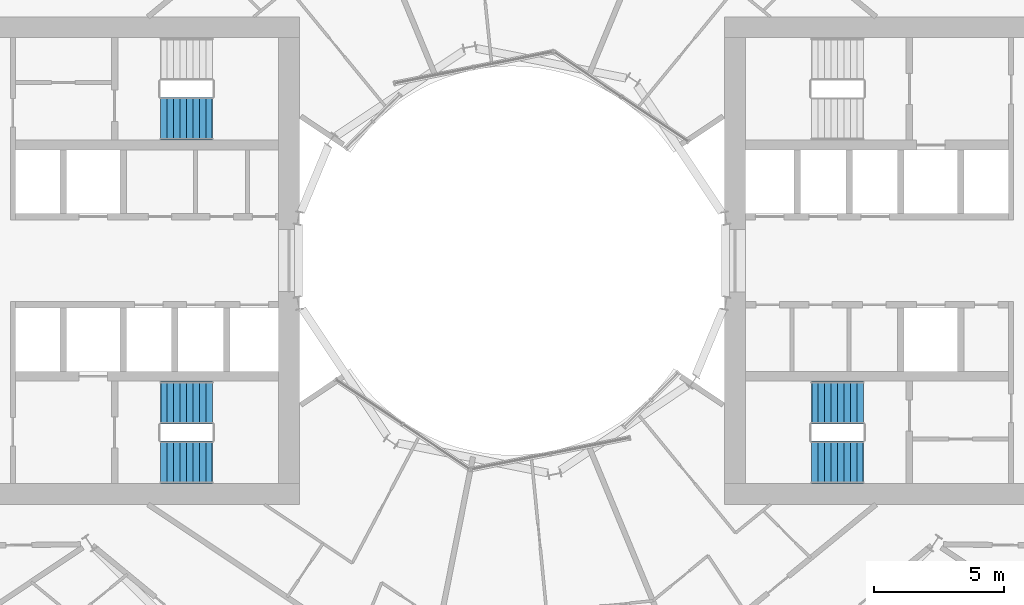
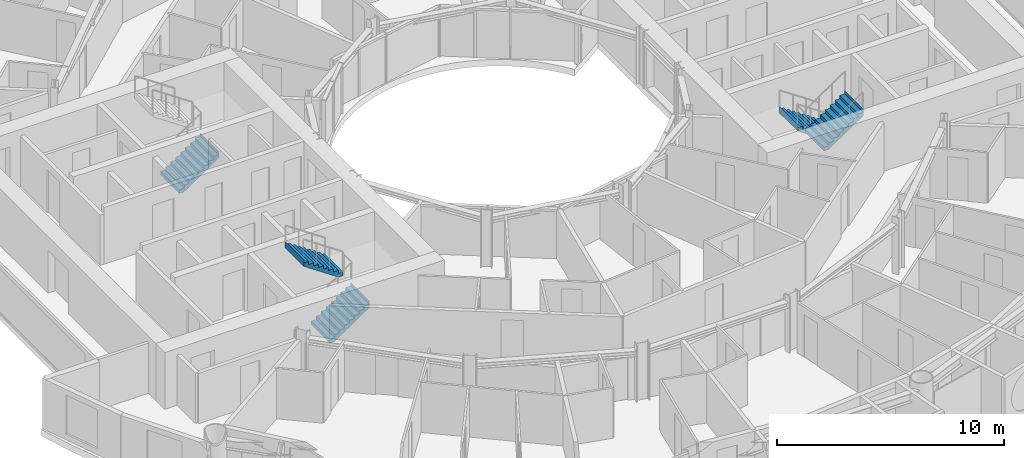
# One storey, part 23 of 26: 5 stair flights, 3 elements without a shape of their own.
"""IFC4 building model written with IfcOpenShell, lengths in metres."""

from ifc_helpers import new_model, si_unit, direction, frame, origin, place, context, subcontext, project, spatial, triangles, material, type_object, element, aggregate, save


model = new_model("IFC4")

# Units and contexts
model_context = context("Model", 3, precision=1e-05, world=origin(), true_north=direction((0.0, 1.0)))
body_context = subcontext(model_context, "Body", "Model", "MODEL_VIEW")
ifc_project = project(units=[si_unit("LENGTHUNIT", "METRE"), si_unit("AREAUNIT", "SQUARE_METRE"), si_unit("VOLUMEUNIT", "CUBIC_METRE"), si_unit("PLANEANGLEUNIT", "RADIAN"), si_unit("MASSUNIT", "GRAM", prefix="KILO")], contexts=[model_context])

# Site, building, storey
site_placement = place(None, origin())
site = spatial("IfcSite", under=ifc_project, at=site_placement, CompositionType="ELEMENT")
building_placement = place(site_placement, origin())
building = spatial("IfcBuilding", under=site, at=building_placement, Name="Maasbend Ring Residences", CompositionType="ELEMENT")
storey_placement = place(building_placement, frame((0.0, 0.0, 38.050048828125)))
storey = spatial("IfcBuildingStorey", under=building, at=storey_placement, Name="L10", CompositionType="ELEMENT", Elevation=38.050048828125)

# Stair, stair flights
ifc_material_1 = material(Name="Concrete C40/50", Category="concrete")
stair_type = type_object("IfcStairType", Name="CORE STAIR 18 RISERS", PredefinedType="HALF_TURN_STAIR", material=ifc_material_1)
stair_1_placement = place(storey_placement, origin())
stair_1 = element("IfcStair", 1, at=stair_1_placement, inside=storey, type_object=stair_type, Name="L10 Exit stair ST-E2", PredefinedType="HALF_TURN_STAIR")
ifc_material_2 = material(Name="Concrete C40/50", Category="concrete")
stair_flight_type = type_object("IfcStairFlightType", Name="CORE STAIR FLIGHT 1650", PredefinedType="STRAIGHT", material=ifc_material_2)
stair_flight_1_placement = place(storey_placement, frame((13.550048828125, -5.47509765625, 0.0), z_axis=(0.0, 0.0, 1.0), x_axis=(-1.0, 0.0, 0.0)))
stair_flight_1 = element("IfcStairFlight", 2, at=stair_flight_1_placement, type_object=stair_flight_type, Name="ST-E2 flight 1", NumberOfRisers=9, NumberOfTreads=8, PredefinedType="STRAIGHT", RiserHeight=0.169444444, TreadLength=0.25, context=body_context, shape_type="Tessellation", body=[
    triangles([(0.24072265625, 0.824951171875, -0.02001953125), (2.0029296875, 0.824951171875, 1.174560546875), (2.0029296875, 0.824951171875, 1.52490234375), (1.989990234375, 0.824951171875, 1.35546875), (1.75, 0.824951171875, 1.35546875), (1.75, 0.824951171875, 1.18603515625), (1.5, 0.824951171875, 1.18603515625), (1.5, 0.824951171875, 1.0166015625), (1.25, 0.824951171875, 1.0166015625), (1.25, 0.824951171875, 0.84716796875), (1.0, 0.824951171875, 0.84716796875), (1.0, 0.824951171875, 0.677734375), (0.75, 0.824951171875, 0.677734375), (0.75, 0.824951171875, 0.50830078125), (0.5, 0.824951171875, 0.50830078125), (0.5, 0.824951171875, 0.3388671875), (0.25, 0.824951171875, 0.3388671875), (0.25, 0.824951171875, 0.16943359375), (0.0, 0.824951171875, 0.16943359375), (0.0, 0.824951171875, 0.0), (-0.0029296875, 0.824951171875, 0.0), (-0.0029296875, 0.824951171875, -0.02001953125), (0.24072265625, 0.27490234375, -0.02001953125), (2.0029296875, 0.27490234375, 1.174560546875), (2.0029296875, 0.27490234375, 1.52490234375), (1.989990234375, 0.27490234375, 1.35546875), (1.75, 0.27490234375, 1.35546875), (1.75, 0.27490234375, 1.18603515625), (1.5, 0.27490234375, 1.18603515625), (1.5, 0.27490234375, 1.0166015625), (1.25, 0.27490234375, 1.0166015625), (1.25, 0.27490234375, 0.84716796875), (1.0, 0.27490234375, 0.84716796875), (1.0, 0.27490234375, 0.677734375), (0.75, 0.27490234375, 0.677734375), (0.75, 0.27490234375, 0.50830078125), (0.5, 0.27490234375, 0.50830078125), (0.5, 0.27490234375, 0.3388671875), (0.25, 0.27490234375, 0.3388671875), (0.25, 0.27490234375, 0.16943359375), (0.0, 0.27490234375, 0.16943359375), (0.0, 0.27490234375, 0.0), (-0.0029296875, 0.27490234375, 0.0), (-0.0029296875, 0.27490234375, -0.02001953125), (0.24072265625, -0.27490234375, -0.02001953125), (2.0029296875, -0.27490234375, 1.174560546875), (2.0029296875, -0.27490234375, 1.52490234375), (1.989990234375, -0.27490234375, 1.35546875), (1.75, -0.27490234375, 1.35546875), (1.75, -0.27490234375, 1.18603515625), (1.5, -0.27490234375, 1.18603515625), (1.5, -0.27490234375, 1.0166015625), (1.25, -0.27490234375, 1.0166015625), (1.25, -0.27490234375, 0.84716796875), (1.0, -0.27490234375, 0.84716796875), (1.0, -0.27490234375, 0.677734375), (0.75, -0.27490234375, 0.677734375), (0.75, -0.27490234375, 0.50830078125), (0.5, -0.27490234375, 0.50830078125), (0.5, -0.27490234375, 0.3388671875), (0.25, -0.27490234375, 0.3388671875), (0.25, -0.27490234375, 0.16943359375), (0.0, -0.27490234375, 0.16943359375), (0.0, -0.27490234375, 0.0), (-0.0029296875, -0.27490234375, 0.0), (-0.0029296875, -0.27490234375, -0.02001953125), (0.24072265625, -0.824951171875, -0.02001953125), (2.0029296875, -0.824951171875, 1.174560546875), (2.0029296875, -0.824951171875, 1.52490234375), (1.989990234375, -0.824951171875, 1.35546875), (1.75, -0.824951171875, 1.35546875), (1.75, -0.824951171875, 1.18603515625), (1.5, -0.824951171875, 1.18603515625), (1.5, -0.824951171875, 1.0166015625), (1.25, -0.824951171875, 1.0166015625), (1.25, -0.824951171875, 0.84716796875), (1.0, -0.824951171875, 0.84716796875), (1.0, -0.824951171875, 0.677734375), (0.75, -0.824951171875, 0.677734375), (0.75, -0.824951171875, 0.50830078125), (0.5, -0.824951171875, 0.50830078125), (0.5, -0.824951171875, 0.3388671875), (0.25, -0.824951171875, 0.3388671875), (0.25, -0.824951171875, 0.16943359375), (0.0, -0.824951171875, 0.16943359375), (0.0, -0.824951171875, 0.0), (-0.0029296875, -0.824951171875, 0.0), (-0.0029296875, -0.824951171875, -0.02001953125)], [[1, 2, 24], [1, 24, 23], [23, 24, 46], [23, 46, 45], [45, 46, 68], [45, 68, 67], [2, 3, 25], [2, 25, 24], [24, 25, 47], [24, 47, 46], [46, 47, 69], [46, 69, 68], [3, 4, 26], [3, 26, 25], [25, 26, 48], [25, 48, 47], [47, 48, 70], [47, 70, 69], [4, 5, 27], [4, 27, 26], [26, 27, 49], [26, 49, 48], [48, 49, 71], [48, 71, 70], [5, 6, 28], [5, 28, 27], [27, 28, 50], [27, 50, 49], [49, 50, 72], [49, 72, 71], [6, 7, 29], [6, 29, 28], [28, 29, 51], [28, 51, 50], [50, 51, 73], [50, 73, 72], [7, 8, 30], [7, 30, 29], [29, 30, 52], [29, 52, 51], [51, 52, 74], [51, 74, 73], [8, 9, 31], [8, 31, 30], [30, 31, 53], [30, 53, 52], [52, 53, 75], [52, 75, 74], [9, 10, 32], [9, 32, 31], [31, 32, 54], [31, 54, 53], [53, 54, 76], [53, 76, 75], [10, 11, 33], [10, 33, 32], [32, 33, 55], [32, 55, 54], [54, 55, 77], [54, 77, 76], [11, 12, 34], [11, 34, 33], [33, 34, 56], [33, 56, 55], [55, 56, 78], [55, 78, 77], [12, 13, 35], [12, 35, 34], [34, 35, 57], [34, 57, 56], [56, 57, 79], [56, 79, 78], [13, 14, 36], [13, 36, 35], [35, 36, 58], [35, 58, 57], [57, 58, 80], [57, 80, 79], [14, 15, 37], [14, 37, 36], [36, 37, 59], [36, 59, 58], [58, 59, 81], [58, 81, 80], [15, 16, 38], [15, 38, 37], [37, 38, 60], [37, 60, 59], [59, 60, 82], [59, 82, 81], [16, 17, 39], [16, 39, 38], [38, 39, 61], [38, 61, 60], [60, 61, 83], [60, 83, 82], [17, 18, 40], [17, 40, 39], [39, 40, 62], [39, 62, 61], [61, 62, 84], [61, 84, 83], [18, 19, 41], [18, 41, 40], [40, 41, 63], [40, 63, 62], [62, 63, 85], [62, 85, 84], [19, 20, 42], [19, 42, 41], [41, 42, 64], [41, 64, 63], [63, 64, 86], [63, 86, 85], [20, 21, 43], [20, 43, 42], [42, 43, 65], [42, 65, 64], [64, 65, 87], [64, 87, 86], [21, 22, 44], [21, 44, 43], [43, 44, 66], [43, 66, 65], [65, 66, 88], [65, 88, 87], [22, 1, 23], [22, 23, 44], [44, 23, 45], [44, 45, 66], [66, 45, 67], [66, 67, 88], [22, 2, 1], [2, 4, 3], [2, 5, 4], [2, 6, 5], [22, 6, 2], [6, 8, 7], [22, 8, 6], [8, 10, 9], [22, 10, 8], [10, 12, 11], [22, 12, 10], [12, 14, 13], [22, 14, 12], [14, 16, 15], [22, 16, 14], [16, 18, 17], [22, 18, 16], [18, 20, 19], [22, 20, 18], [20, 22, 21], [88, 67, 68], [68, 69, 70], [68, 70, 71], [68, 71, 72], [88, 68, 72], [72, 73, 74], [88, 72, 74], [74, 75, 76], [88, 74, 76], [76, 77, 78], [88, 76, 78], [78, 79, 80], [88, 78, 80], [80, 81, 82], [88, 80, 82], [82, 83, 84], [88, 82, 84], [84, 85, 86], [88, 84, 86], [86, 87, 88]], closed=True),
])
stair_flight_2_placement = place(storey_placement, frame((11.550048828125, -7.77490234375, 1.52490234375), z_axis=(0.0, 0.0, 1.0), x_axis=(1.0, 0.0, 0.0)))
stair_flight_2 = element("IfcStairFlight", 3, at=stair_flight_2_placement, type_object=stair_flight_type, Name="ST-E2 flight 2", NumberOfRisers=9, NumberOfTreads=8, PredefinedType="STRAIGHT", RiserHeight=0.169444444, TreadLength=0.25, context=body_context, shape_type="Tessellation", body=[
    triangles([(0.24072265625, 0.824951171875, -0.02001953125), (2.0029296875, 0.824951171875, 1.174560546875), (2.0029296875, 0.824951171875, 1.52490234375), (1.989990234375, 0.824951171875, 1.35546875), (1.75, 0.824951171875, 1.35546875), (1.75, 0.824951171875, 1.18603515625), (1.5, 0.824951171875, 1.18603515625), (1.5, 0.824951171875, 1.0166015625), (1.25, 0.824951171875, 1.0166015625), (1.25, 0.824951171875, 0.84716796875), (1.0, 0.824951171875, 0.84716796875), (1.0, 0.824951171875, 0.677734375), (0.75, 0.824951171875, 0.677734375), (0.75, 0.824951171875, 0.50830078125), (0.5, 0.824951171875, 0.50830078125), (0.5, 0.824951171875, 0.3388671875), (0.25, 0.824951171875, 0.3388671875), (0.25, 0.824951171875, 0.16943359375), (0.0, 0.824951171875, 0.16943359375), (0.0, 0.824951171875, 0.0), (-0.0029296875, 0.824951171875, 0.0), (-0.0029296875, 0.824951171875, -0.02001953125), (0.24072265625, 0.27490234375, -0.02001953125), (2.0029296875, 0.27490234375, 1.174560546875), (2.0029296875, 0.27490234375, 1.52490234375), (1.989990234375, 0.27490234375, 1.35546875), (1.75, 0.27490234375, 1.35546875), (1.75, 0.27490234375, 1.18603515625), (1.5, 0.27490234375, 1.18603515625), (1.5, 0.27490234375, 1.0166015625), (1.25, 0.27490234375, 1.0166015625), (1.25, 0.27490234375, 0.84716796875), (1.0, 0.27490234375, 0.84716796875), (1.0, 0.27490234375, 0.677734375), (0.75, 0.27490234375, 0.677734375), (0.75, 0.27490234375, 0.50830078125), (0.5, 0.27490234375, 0.50830078125), (0.5, 0.27490234375, 0.3388671875), (0.25, 0.27490234375, 0.3388671875), (0.25, 0.27490234375, 0.16943359375), (0.0, 0.27490234375, 0.16943359375), (0.0, 0.27490234375, 0.0), (-0.0029296875, 0.27490234375, 0.0), (-0.0029296875, 0.27490234375, -0.02001953125), (0.24072265625, -0.27490234375, -0.02001953125), (2.0029296875, -0.27490234375, 1.174560546875), (2.0029296875, -0.27490234375, 1.52490234375), (1.989990234375, -0.27490234375, 1.35546875), (1.75, -0.27490234375, 1.35546875), (1.75, -0.27490234375, 1.18603515625), (1.5, -0.27490234375, 1.18603515625), (1.5, -0.27490234375, 1.0166015625), (1.25, -0.27490234375, 1.0166015625), (1.25, -0.27490234375, 0.84716796875), (1.0, -0.27490234375, 0.84716796875), (1.0, -0.27490234375, 0.677734375), (0.75, -0.27490234375, 0.677734375), (0.75, -0.27490234375, 0.50830078125), (0.5, -0.27490234375, 0.50830078125), (0.5, -0.27490234375, 0.3388671875), (0.25, -0.27490234375, 0.3388671875), (0.25, -0.27490234375, 0.16943359375), (0.0, -0.27490234375, 0.16943359375), (0.0, -0.27490234375, 0.0), (-0.0029296875, -0.27490234375, 0.0), (-0.0029296875, -0.27490234375, -0.02001953125), (0.24072265625, -0.824951171875, -0.02001953125), (2.0029296875, -0.824951171875, 1.174560546875), (2.0029296875, -0.824951171875, 1.52490234375), (1.989990234375, -0.824951171875, 1.35546875), (1.75, -0.824951171875, 1.35546875), (1.75, -0.824951171875, 1.18603515625), (1.5, -0.824951171875, 1.18603515625), (1.5, -0.824951171875, 1.0166015625), (1.25, -0.824951171875, 1.0166015625), (1.25, -0.824951171875, 0.84716796875), (1.0, -0.824951171875, 0.84716796875), (1.0, -0.824951171875, 0.677734375), (0.75, -0.824951171875, 0.677734375), (0.75, -0.824951171875, 0.50830078125), (0.5, -0.824951171875, 0.50830078125), (0.5, -0.824951171875, 0.3388671875), (0.25, -0.824951171875, 0.3388671875), (0.25, -0.824951171875, 0.16943359375), (0.0, -0.824951171875, 0.16943359375), (0.0, -0.824951171875, 0.0), (-0.0029296875, -0.824951171875, 0.0), (-0.0029296875, -0.824951171875, -0.02001953125)], [[1, 2, 24], [1, 24, 23], [23, 24, 46], [23, 46, 45], [45, 46, 68], [45, 68, 67], [2, 3, 25], [2, 25, 24], [24, 25, 47], [24, 47, 46], [46, 47, 69], [46, 69, 68], [3, 4, 26], [3, 26, 25], [25, 26, 48], [25, 48, 47], [47, 48, 70], [47, 70, 69], [4, 5, 27], [4, 27, 26], [26, 27, 49], [26, 49, 48], [48, 49, 71], [48, 71, 70], [5, 6, 28], [5, 28, 27], [27, 28, 50], [27, 50, 49], [49, 50, 72], [49, 72, 71], [6, 7, 29], [6, 29, 28], [28, 29, 51], [28, 51, 50], [50, 51, 73], [50, 73, 72], [7, 8, 30], [7, 30, 29], [29, 30, 52], [29, 52, 51], [51, 52, 74], [51, 74, 73], [8, 9, 31], [8, 31, 30], [30, 31, 53], [30, 53, 52], [52, 53, 75], [52, 75, 74], [9, 10, 32], [9, 32, 31], [31, 32, 54], [31, 54, 53], [53, 54, 76], [53, 76, 75], [10, 11, 33], [10, 33, 32], [32, 33, 55], [32, 55, 54], [54, 55, 77], [54, 77, 76], [11, 12, 34], [11, 34, 33], [33, 34, 56], [33, 56, 55], [55, 56, 78], [55, 78, 77], [12, 13, 35], [12, 35, 34], [34, 35, 57], [34, 57, 56], [56, 57, 79], [56, 79, 78], [13, 14, 36], [13, 36, 35], [35, 36, 58], [35, 58, 57], [57, 58, 80], [57, 80, 79], [14, 15, 37], [14, 37, 36], [36, 37, 59], [36, 59, 58], [58, 59, 81], [58, 81, 80], [15, 16, 38], [15, 38, 37], [37, 38, 60], [37, 60, 59], [59, 60, 82], [59, 82, 81], [16, 17, 39], [16, 39, 38], [38, 39, 61], [38, 61, 60], [60, 61, 83], [60, 83, 82], [17, 18, 40], [17, 40, 39], [39, 40, 62], [39, 62, 61], [61, 62, 84], [61, 84, 83], [18, 19, 41], [18, 41, 40], [40, 41, 63], [40, 63, 62], [62, 63, 85], [62, 85, 84], [19, 20, 42], [19, 42, 41], [41, 42, 64], [41, 64, 63], [63, 64, 86], [63, 86, 85], [20, 21, 43], [20, 43, 42], [42, 43, 65], [42, 65, 64], [64, 65, 87], [64, 87, 86], [21, 22, 44], [21, 44, 43], [43, 44, 66], [43, 66, 65], [65, 66, 88], [65, 88, 87], [22, 1, 23], [22, 23, 44], [44, 23, 45], [44, 45, 66], [66, 45, 67], [66, 67, 88], [22, 2, 1], [2, 4, 3], [2, 5, 4], [2, 6, 5], [22, 6, 2], [6, 8, 7], [22, 8, 6], [8, 10, 9], [22, 10, 8], [10, 12, 11], [22, 12, 10], [12, 14, 13], [22, 14, 12], [14, 16, 15], [22, 16, 14], [16, 18, 17], [22, 18, 16], [18, 20, 19], [22, 20, 18], [20, 22, 21], [88, 67, 68], [68, 69, 70], [68, 70, 71], [68, 71, 72], [88, 68, 72], [72, 73, 74], [88, 72, 74], [74, 75, 76], [88, 74, 76], [76, 77, 78], [88, 76, 78], [78, 79, 80], [88, 78, 80], [80, 81, 82], [88, 80, 82], [82, 83, 84], [88, 82, 84], [84, 85, 86], [88, 84, 86], [86, 87, 88]], closed=True),
])
aggregate(stair_1, [stair_flight_1, stair_flight_2])

stair_2_placement = place(storey_placement, origin())
stair_2 = element("IfcStair", 4, at=stair_2_placement, inside=storey, type_object=stair_type, Name="L10 Exit stair ST-W1", PredefinedType="HALF_TURN_STAIR")
stair_flight_3_placement = place(storey_placement, frame((-13.550048828125, -7.77490234375, 0.0), z_axis=(0.0, 0.0, 1.0), x_axis=(1.0, 0.0, 0.0)))
stair_flight_3 = element("IfcStairFlight", 5, at=stair_flight_3_placement, type_object=stair_flight_type, Name="ST-W1 flight 1", NumberOfRisers=9, NumberOfTreads=8, PredefinedType="STRAIGHT", RiserHeight=0.169444444, TreadLength=0.25, context=body_context, shape_type="Tessellation", body=[
    triangles([(0.24072265625, 0.824951171875, -0.02001953125), (2.0029296875, 0.824951171875, 1.174560546875), (2.0029296875, 0.824951171875, 1.52490234375), (1.989990234375, 0.824951171875, 1.35546875), (1.75, 0.824951171875, 1.35546875), (1.75, 0.824951171875, 1.18603515625), (1.5, 0.824951171875, 1.18603515625), (1.5, 0.824951171875, 1.0166015625), (1.25, 0.824951171875, 1.0166015625), (1.25, 0.824951171875, 0.84716796875), (1.0, 0.824951171875, 0.84716796875), (1.0, 0.824951171875, 0.677734375), (0.75, 0.824951171875, 0.677734375), (0.75, 0.824951171875, 0.50830078125), (0.5, 0.824951171875, 0.50830078125), (0.5, 0.824951171875, 0.3388671875), (0.25, 0.824951171875, 0.3388671875), (0.25, 0.824951171875, 0.16943359375), (0.0, 0.824951171875, 0.16943359375), (0.0, 0.824951171875, 0.0), (-0.0029296875, 0.824951171875, 0.0), (-0.0029296875, 0.824951171875, -0.02001953125), (0.24072265625, 0.27490234375, -0.02001953125), (2.0029296875, 0.27490234375, 1.174560546875), (2.0029296875, 0.27490234375, 1.52490234375), (1.989990234375, 0.27490234375, 1.35546875), (1.75, 0.27490234375, 1.35546875), (1.75, 0.27490234375, 1.18603515625), (1.5, 0.27490234375, 1.18603515625), (1.5, 0.27490234375, 1.0166015625), (1.25, 0.27490234375, 1.0166015625), (1.25, 0.27490234375, 0.84716796875), (1.0, 0.27490234375, 0.84716796875), (1.0, 0.27490234375, 0.677734375), (0.75, 0.27490234375, 0.677734375), (0.75, 0.27490234375, 0.50830078125), (0.5, 0.27490234375, 0.50830078125), (0.5, 0.27490234375, 0.3388671875), (0.25, 0.27490234375, 0.3388671875), (0.25, 0.27490234375, 0.16943359375), (0.0, 0.27490234375, 0.16943359375), (0.0, 0.27490234375, 0.0), (-0.0029296875, 0.27490234375, 0.0), (-0.0029296875, 0.27490234375, -0.02001953125), (0.24072265625, -0.27490234375, -0.02001953125), (2.0029296875, -0.27490234375, 1.174560546875), (2.0029296875, -0.27490234375, 1.52490234375), (1.989990234375, -0.27490234375, 1.35546875), (1.75, -0.27490234375, 1.35546875), (1.75, -0.27490234375, 1.18603515625), (1.5, -0.27490234375, 1.18603515625), (1.5, -0.27490234375, 1.0166015625), (1.25, -0.27490234375, 1.0166015625), (1.25, -0.27490234375, 0.84716796875), (1.0, -0.27490234375, 0.84716796875), (1.0, -0.27490234375, 0.677734375), (0.75, -0.27490234375, 0.677734375), (0.75, -0.27490234375, 0.50830078125), (0.5, -0.27490234375, 0.50830078125), (0.5, -0.27490234375, 0.3388671875), (0.25, -0.27490234375, 0.3388671875), (0.25, -0.27490234375, 0.16943359375), (0.0, -0.27490234375, 0.16943359375), (0.0, -0.27490234375, 0.0), (-0.0029296875, -0.27490234375, 0.0), (-0.0029296875, -0.27490234375, -0.02001953125), (0.24072265625, -0.824951171875, -0.02001953125), (2.0029296875, -0.824951171875, 1.174560546875), (2.0029296875, -0.824951171875, 1.52490234375), (1.989990234375, -0.824951171875, 1.35546875), (1.75, -0.824951171875, 1.35546875), (1.75, -0.824951171875, 1.18603515625), (1.5, -0.824951171875, 1.18603515625), (1.5, -0.824951171875, 1.0166015625), (1.25, -0.824951171875, 1.0166015625), (1.25, -0.824951171875, 0.84716796875), (1.0, -0.824951171875, 0.84716796875), (1.0, -0.824951171875, 0.677734375), (0.75, -0.824951171875, 0.677734375), (0.75, -0.824951171875, 0.50830078125), (0.5, -0.824951171875, 0.50830078125), (0.5, -0.824951171875, 0.3388671875), (0.25, -0.824951171875, 0.3388671875), (0.25, -0.824951171875, 0.16943359375), (0.0, -0.824951171875, 0.16943359375), (0.0, -0.824951171875, 0.0), (-0.0029296875, -0.824951171875, 0.0), (-0.0029296875, -0.824951171875, -0.02001953125)], [[1, 2, 24], [1, 24, 23], [23, 24, 46], [23, 46, 45], [45, 46, 68], [45, 68, 67], [2, 3, 25], [2, 25, 24], [24, 25, 47], [24, 47, 46], [46, 47, 69], [46, 69, 68], [3, 4, 26], [3, 26, 25], [25, 26, 48], [25, 48, 47], [47, 48, 70], [47, 70, 69], [4, 5, 27], [4, 27, 26], [26, 27, 49], [26, 49, 48], [48, 49, 71], [48, 71, 70], [5, 6, 28], [5, 28, 27], [27, 28, 50], [27, 50, 49], [49, 50, 72], [49, 72, 71], [6, 7, 29], [6, 29, 28], [28, 29, 51], [28, 51, 50], [50, 51, 73], [50, 73, 72], [7, 8, 30], [7, 30, 29], [29, 30, 52], [29, 52, 51], [51, 52, 74], [51, 74, 73], [8, 9, 31], [8, 31, 30], [30, 31, 53], [30, 53, 52], [52, 53, 75], [52, 75, 74], [9, 10, 32], [9, 32, 31], [31, 32, 54], [31, 54, 53], [53, 54, 76], [53, 76, 75], [10, 11, 33], [10, 33, 32], [32, 33, 55], [32, 55, 54], [54, 55, 77], [54, 77, 76], [11, 12, 34], [11, 34, 33], [33, 34, 56], [33, 56, 55], [55, 56, 78], [55, 78, 77], [12, 13, 35], [12, 35, 34], [34, 35, 57], [34, 57, 56], [56, 57, 79], [56, 79, 78], [13, 14, 36], [13, 36, 35], [35, 36, 58], [35, 58, 57], [57, 58, 80], [57, 80, 79], [14, 15, 37], [14, 37, 36], [36, 37, 59], [36, 59, 58], [58, 59, 81], [58, 81, 80], [15, 16, 38], [15, 38, 37], [37, 38, 60], [37, 60, 59], [59, 60, 82], [59, 82, 81], [16, 17, 39], [16, 39, 38], [38, 39, 61], [38, 61, 60], [60, 61, 83], [60, 83, 82], [17, 18, 40], [17, 40, 39], [39, 40, 62], [39, 62, 61], [61, 62, 84], [61, 84, 83], [18, 19, 41], [18, 41, 40], [40, 41, 63], [40, 63, 62], [62, 63, 85], [62, 85, 84], [19, 20, 42], [19, 42, 41], [41, 42, 64], [41, 64, 63], [63, 64, 86], [63, 86, 85], [20, 21, 43], [20, 43, 42], [42, 43, 65], [42, 65, 64], [64, 65, 87], [64, 87, 86], [21, 22, 44], [21, 44, 43], [43, 44, 66], [43, 66, 65], [65, 66, 88], [65, 88, 87], [22, 1, 23], [22, 23, 44], [44, 23, 45], [44, 45, 66], [66, 45, 67], [66, 67, 88], [22, 2, 1], [2, 4, 3], [2, 5, 4], [2, 6, 5], [22, 6, 2], [6, 8, 7], [22, 8, 6], [8, 10, 9], [22, 10, 8], [10, 12, 11], [22, 12, 10], [12, 14, 13], [22, 14, 12], [14, 16, 15], [22, 16, 14], [16, 18, 17], [22, 18, 16], [18, 20, 19], [22, 20, 18], [20, 22, 21], [88, 67, 68], [68, 69, 70], [68, 70, 71], [68, 71, 72], [88, 68, 72], [72, 73, 74], [88, 72, 74], [74, 75, 76], [88, 74, 76], [76, 77, 78], [88, 76, 78], [78, 79, 80], [88, 78, 80], [80, 81, 82], [88, 80, 82], [82, 83, 84], [88, 82, 84], [84, 85, 86], [88, 84, 86], [86, 87, 88]], closed=True),
])
stair_flight_4_placement = place(storey_placement, frame((-11.550048828125, -5.47509765625, 1.52490234375), z_axis=(0.0, 0.0, 1.0), x_axis=(-1.0, 0.0, 0.0)))
stair_flight_4 = element("IfcStairFlight", 6, at=stair_flight_4_placement, type_object=stair_flight_type, Name="ST-W1 flight 2", NumberOfRisers=9, NumberOfTreads=8, PredefinedType="STRAIGHT", RiserHeight=0.169444444, TreadLength=0.25, context=body_context, shape_type="Tessellation", body=[
    triangles([(0.24072265625, 0.824951171875, -0.02001953125), (2.0029296875, 0.824951171875, 1.174560546875), (2.0029296875, 0.824951171875, 1.52490234375), (1.989990234375, 0.824951171875, 1.35546875), (1.75, 0.824951171875, 1.35546875), (1.75, 0.824951171875, 1.18603515625), (1.5, 0.824951171875, 1.18603515625), (1.5, 0.824951171875, 1.0166015625), (1.25, 0.824951171875, 1.0166015625), (1.25, 0.824951171875, 0.84716796875), (1.0, 0.824951171875, 0.84716796875), (1.0, 0.824951171875, 0.677734375), (0.75, 0.824951171875, 0.677734375), (0.75, 0.824951171875, 0.50830078125), (0.5, 0.824951171875, 0.50830078125), (0.5, 0.824951171875, 0.3388671875), (0.25, 0.824951171875, 0.3388671875), (0.25, 0.824951171875, 0.16943359375), (0.0, 0.824951171875, 0.16943359375), (0.0, 0.824951171875, 0.0), (-0.0029296875, 0.824951171875, 0.0), (-0.0029296875, 0.824951171875, -0.02001953125), (0.24072265625, 0.27490234375, -0.02001953125), (2.0029296875, 0.27490234375, 1.174560546875), (2.0029296875, 0.27490234375, 1.52490234375), (1.989990234375, 0.27490234375, 1.35546875), (1.75, 0.27490234375, 1.35546875), (1.75, 0.27490234375, 1.18603515625), (1.5, 0.27490234375, 1.18603515625), (1.5, 0.27490234375, 1.0166015625), (1.25, 0.27490234375, 1.0166015625), (1.25, 0.27490234375, 0.84716796875), (1.0, 0.27490234375, 0.84716796875), (1.0, 0.27490234375, 0.677734375), (0.75, 0.27490234375, 0.677734375), (0.75, 0.27490234375, 0.50830078125), (0.5, 0.27490234375, 0.50830078125), (0.5, 0.27490234375, 0.3388671875), (0.25, 0.27490234375, 0.3388671875), (0.25, 0.27490234375, 0.16943359375), (0.0, 0.27490234375, 0.16943359375), (0.0, 0.27490234375, 0.0), (-0.0029296875, 0.27490234375, 0.0), (-0.0029296875, 0.27490234375, -0.02001953125), (0.24072265625, -0.27490234375, -0.02001953125), (2.0029296875, -0.27490234375, 1.174560546875), (2.0029296875, -0.27490234375, 1.52490234375), (1.989990234375, -0.27490234375, 1.35546875), (1.75, -0.27490234375, 1.35546875), (1.75, -0.27490234375, 1.18603515625), (1.5, -0.27490234375, 1.18603515625), (1.5, -0.27490234375, 1.0166015625), (1.25, -0.27490234375, 1.0166015625), (1.25, -0.27490234375, 0.84716796875), (1.0, -0.27490234375, 0.84716796875), (1.0, -0.27490234375, 0.677734375), (0.75, -0.27490234375, 0.677734375), (0.75, -0.27490234375, 0.50830078125), (0.5, -0.27490234375, 0.50830078125), (0.5, -0.27490234375, 0.3388671875), (0.25, -0.27490234375, 0.3388671875), (0.25, -0.27490234375, 0.16943359375), (0.0, -0.27490234375, 0.16943359375), (0.0, -0.27490234375, 0.0), (-0.0029296875, -0.27490234375, 0.0), (-0.0029296875, -0.27490234375, -0.02001953125), (0.24072265625, -0.824951171875, -0.02001953125), (2.0029296875, -0.824951171875, 1.174560546875), (2.0029296875, -0.824951171875, 1.52490234375), (1.989990234375, -0.824951171875, 1.35546875), (1.75, -0.824951171875, 1.35546875), (1.75, -0.824951171875, 1.18603515625), (1.5, -0.824951171875, 1.18603515625), (1.5, -0.824951171875, 1.0166015625), (1.25, -0.824951171875, 1.0166015625), (1.25, -0.824951171875, 0.84716796875), (1.0, -0.824951171875, 0.84716796875), (1.0, -0.824951171875, 0.677734375), (0.75, -0.824951171875, 0.677734375), (0.75, -0.824951171875, 0.50830078125), (0.5, -0.824951171875, 0.50830078125), (0.5, -0.824951171875, 0.3388671875), (0.25, -0.824951171875, 0.3388671875), (0.25, -0.824951171875, 0.16943359375), (0.0, -0.824951171875, 0.16943359375), (0.0, -0.824951171875, 0.0), (-0.0029296875, -0.824951171875, 0.0), (-0.0029296875, -0.824951171875, -0.02001953125)], [[1, 2, 24], [1, 24, 23], [23, 24, 46], [23, 46, 45], [45, 46, 68], [45, 68, 67], [2, 3, 25], [2, 25, 24], [24, 25, 47], [24, 47, 46], [46, 47, 69], [46, 69, 68], [3, 4, 26], [3, 26, 25], [25, 26, 48], [25, 48, 47], [47, 48, 70], [47, 70, 69], [4, 5, 27], [4, 27, 26], [26, 27, 49], [26, 49, 48], [48, 49, 71], [48, 71, 70], [5, 6, 28], [5, 28, 27], [27, 28, 50], [27, 50, 49], [49, 50, 72], [49, 72, 71], [6, 7, 29], [6, 29, 28], [28, 29, 51], [28, 51, 50], [50, 51, 73], [50, 73, 72], [7, 8, 30], [7, 30, 29], [29, 30, 52], [29, 52, 51], [51, 52, 74], [51, 74, 73], [8, 9, 31], [8, 31, 30], [30, 31, 53], [30, 53, 52], [52, 53, 75], [52, 75, 74], [9, 10, 32], [9, 32, 31], [31, 32, 54], [31, 54, 53], [53, 54, 76], [53, 76, 75], [10, 11, 33], [10, 33, 32], [32, 33, 55], [32, 55, 54], [54, 55, 77], [54, 77, 76], [11, 12, 34], [11, 34, 33], [33, 34, 56], [33, 56, 55], [55, 56, 78], [55, 78, 77], [12, 13, 35], [12, 35, 34], [34, 35, 57], [34, 57, 56], [56, 57, 79], [56, 79, 78], [13, 14, 36], [13, 36, 35], [35, 36, 58], [35, 58, 57], [57, 58, 80], [57, 80, 79], [14, 15, 37], [14, 37, 36], [36, 37, 59], [36, 59, 58], [58, 59, 81], [58, 81, 80], [15, 16, 38], [15, 38, 37], [37, 38, 60], [37, 60, 59], [59, 60, 82], [59, 82, 81], [16, 17, 39], [16, 39, 38], [38, 39, 61], [38, 61, 60], [60, 61, 83], [60, 83, 82], [17, 18, 40], [17, 40, 39], [39, 40, 62], [39, 62, 61], [61, 62, 84], [61, 84, 83], [18, 19, 41], [18, 41, 40], [40, 41, 63], [40, 63, 62], [62, 63, 85], [62, 85, 84], [19, 20, 42], [19, 42, 41], [41, 42, 64], [41, 64, 63], [63, 64, 86], [63, 86, 85], [20, 21, 43], [20, 43, 42], [42, 43, 65], [42, 65, 64], [64, 65, 87], [64, 87, 86], [21, 22, 44], [21, 44, 43], [43, 44, 66], [43, 66, 65], [65, 66, 88], [65, 88, 87], [22, 1, 23], [22, 23, 44], [44, 23, 45], [44, 45, 66], [66, 45, 67], [66, 67, 88], [22, 2, 1], [2, 4, 3], [2, 5, 4], [2, 6, 5], [22, 6, 2], [6, 8, 7], [22, 8, 6], [8, 10, 9], [22, 10, 8], [10, 12, 11], [22, 12, 10], [12, 14, 13], [22, 14, 12], [14, 16, 15], [22, 16, 14], [16, 18, 17], [22, 18, 16], [18, 20, 19], [22, 20, 18], [20, 22, 21], [88, 67, 68], [68, 69, 70], [68, 70, 71], [68, 71, 72], [88, 68, 72], [72, 73, 74], [88, 72, 74], [74, 75, 76], [88, 74, 76], [76, 77, 78], [88, 76, 78], [78, 79, 80], [88, 78, 80], [80, 81, 82], [88, 80, 82], [82, 83, 84], [88, 82, 84], [84, 85, 86], [88, 84, 86], [86, 87, 88]], closed=True),
])
aggregate(stair_2, [stair_flight_3, stair_flight_4])

# Stair, stair flight
stair_3_placement = place(storey_placement, origin())
stair_3 = element("IfcStair", 7, at=stair_3_placement, inside=storey, type_object=stair_type, Name="L10 Exit stair ST-W2", PredefinedType="HALF_TURN_STAIR")
stair_flight_5_placement = place(storey_placement, frame((-13.550048828125, 5.47509765625, 0.0), z_axis=(0.0, 0.0, 1.0), x_axis=(1.0, 0.0, 0.0)))
stair_flight_5 = element("IfcStairFlight", 8, at=stair_flight_5_placement, type_object=stair_flight_type, Name="ST-W2 flight 1", NumberOfRisers=9, NumberOfTreads=8, PredefinedType="STRAIGHT", RiserHeight=0.169444444, TreadLength=0.25, context=body_context, shape_type="Tessellation", body=[
    triangles([(0.24072265625, 0.824951171875, -0.02001953125), (2.0029296875, 0.824951171875, 1.174560546875), (2.0029296875, 0.824951171875, 1.52490234375), (1.989990234375, 0.824951171875, 1.35546875), (1.75, 0.824951171875, 1.35546875), (1.75, 0.824951171875, 1.18603515625), (1.5, 0.824951171875, 1.18603515625), (1.5, 0.824951171875, 1.0166015625), (1.25, 0.824951171875, 1.0166015625), (1.25, 0.824951171875, 0.84716796875), (1.0, 0.824951171875, 0.84716796875), (1.0, 0.824951171875, 0.677734375), (0.75, 0.824951171875, 0.677734375), (0.75, 0.824951171875, 0.50830078125), (0.5, 0.824951171875, 0.50830078125), (0.5, 0.824951171875, 0.3388671875), (0.25, 0.824951171875, 0.3388671875), (0.25, 0.824951171875, 0.16943359375), (0.0, 0.824951171875, 0.16943359375), (0.0, 0.824951171875, 0.0), (-0.0029296875, 0.824951171875, 0.0), (-0.0029296875, 0.824951171875, -0.02001953125), (0.24072265625, 0.27490234375, -0.02001953125), (2.0029296875, 0.27490234375, 1.174560546875), (2.0029296875, 0.27490234375, 1.52490234375), (1.989990234375, 0.27490234375, 1.35546875), (1.75, 0.27490234375, 1.35546875), (1.75, 0.27490234375, 1.18603515625), (1.5, 0.27490234375, 1.18603515625), (1.5, 0.27490234375, 1.0166015625), (1.25, 0.27490234375, 1.0166015625), (1.25, 0.27490234375, 0.84716796875), (1.0, 0.27490234375, 0.84716796875), (1.0, 0.27490234375, 0.677734375), (0.75, 0.27490234375, 0.677734375), (0.75, 0.27490234375, 0.50830078125), (0.5, 0.27490234375, 0.50830078125), (0.5, 0.27490234375, 0.3388671875), (0.25, 0.27490234375, 0.3388671875), (0.25, 0.27490234375, 0.16943359375), (0.0, 0.27490234375, 0.16943359375), (0.0, 0.27490234375, 0.0), (-0.0029296875, 0.27490234375, 0.0), (-0.0029296875, 0.27490234375, -0.02001953125), (0.24072265625, -0.27490234375, -0.02001953125), (2.0029296875, -0.27490234375, 1.174560546875), (2.0029296875, -0.27490234375, 1.52490234375), (1.989990234375, -0.27490234375, 1.35546875), (1.75, -0.27490234375, 1.35546875), (1.75, -0.27490234375, 1.18603515625), (1.5, -0.27490234375, 1.18603515625), (1.5, -0.27490234375, 1.0166015625), (1.25, -0.27490234375, 1.0166015625), (1.25, -0.27490234375, 0.84716796875), (1.0, -0.27490234375, 0.84716796875), (1.0, -0.27490234375, 0.677734375), (0.75, -0.27490234375, 0.677734375), (0.75, -0.27490234375, 0.50830078125), (0.5, -0.27490234375, 0.50830078125), (0.5, -0.27490234375, 0.3388671875), (0.25, -0.27490234375, 0.3388671875), (0.25, -0.27490234375, 0.16943359375), (0.0, -0.27490234375, 0.16943359375), (0.0, -0.27490234375, 0.0), (-0.0029296875, -0.27490234375, 0.0), (-0.0029296875, -0.27490234375, -0.02001953125), (0.24072265625, -0.824951171875, -0.02001953125), (2.0029296875, -0.824951171875, 1.174560546875), (2.0029296875, -0.824951171875, 1.52490234375), (1.989990234375, -0.824951171875, 1.35546875), (1.75, -0.824951171875, 1.35546875), (1.75, -0.824951171875, 1.18603515625), (1.5, -0.824951171875, 1.18603515625), (1.5, -0.824951171875, 1.0166015625), (1.25, -0.824951171875, 1.0166015625), (1.25, -0.824951171875, 0.84716796875), (1.0, -0.824951171875, 0.84716796875), (1.0, -0.824951171875, 0.677734375), (0.75, -0.824951171875, 0.677734375), (0.75, -0.824951171875, 0.50830078125), (0.5, -0.824951171875, 0.50830078125), (0.5, -0.824951171875, 0.3388671875), (0.25, -0.824951171875, 0.3388671875), (0.25, -0.824951171875, 0.16943359375), (0.0, -0.824951171875, 0.16943359375), (0.0, -0.824951171875, 0.0), (-0.0029296875, -0.824951171875, 0.0), (-0.0029296875, -0.824951171875, -0.02001953125)], [[1, 2, 24], [1, 24, 23], [23, 24, 46], [23, 46, 45], [45, 46, 68], [45, 68, 67], [2, 3, 25], [2, 25, 24], [24, 25, 47], [24, 47, 46], [46, 47, 69], [46, 69, 68], [3, 4, 26], [3, 26, 25], [25, 26, 48], [25, 48, 47], [47, 48, 70], [47, 70, 69], [4, 5, 27], [4, 27, 26], [26, 27, 49], [26, 49, 48], [48, 49, 71], [48, 71, 70], [5, 6, 28], [5, 28, 27], [27, 28, 50], [27, 50, 49], [49, 50, 72], [49, 72, 71], [6, 7, 29], [6, 29, 28], [28, 29, 51], [28, 51, 50], [50, 51, 73], [50, 73, 72], [7, 8, 30], [7, 30, 29], [29, 30, 52], [29, 52, 51], [51, 52, 74], [51, 74, 73], [8, 9, 31], [8, 31, 30], [30, 31, 53], [30, 53, 52], [52, 53, 75], [52, 75, 74], [9, 10, 32], [9, 32, 31], [31, 32, 54], [31, 54, 53], [53, 54, 76], [53, 76, 75], [10, 11, 33], [10, 33, 32], [32, 33, 55], [32, 55, 54], [54, 55, 77], [54, 77, 76], [11, 12, 34], [11, 34, 33], [33, 34, 56], [33, 56, 55], [55, 56, 78], [55, 78, 77], [12, 13, 35], [12, 35, 34], [34, 35, 57], [34, 57, 56], [56, 57, 79], [56, 79, 78], [13, 14, 36], [13, 36, 35], [35, 36, 58], [35, 58, 57], [57, 58, 80], [57, 80, 79], [14, 15, 37], [14, 37, 36], [36, 37, 59], [36, 59, 58], [58, 59, 81], [58, 81, 80], [15, 16, 38], [15, 38, 37], [37, 38, 60], [37, 60, 59], [59, 60, 82], [59, 82, 81], [16, 17, 39], [16, 39, 38], [38, 39, 61], [38, 61, 60], [60, 61, 83], [60, 83, 82], [17, 18, 40], [17, 40, 39], [39, 40, 62], [39, 62, 61], [61, 62, 84], [61, 84, 83], [18, 19, 41], [18, 41, 40], [40, 41, 63], [40, 63, 62], [62, 63, 85], [62, 85, 84], [19, 20, 42], [19, 42, 41], [41, 42, 64], [41, 64, 63], [63, 64, 86], [63, 86, 85], [20, 21, 43], [20, 43, 42], [42, 43, 65], [42, 65, 64], [64, 65, 87], [64, 87, 86], [21, 22, 44], [21, 44, 43], [43, 44, 66], [43, 66, 65], [65, 66, 88], [65, 88, 87], [22, 1, 23], [22, 23, 44], [44, 23, 45], [44, 45, 66], [66, 45, 67], [66, 67, 88], [22, 2, 1], [2, 4, 3], [2, 5, 4], [2, 6, 5], [22, 6, 2], [6, 8, 7], [22, 8, 6], [8, 10, 9], [22, 10, 8], [10, 12, 11], [22, 12, 10], [12, 14, 13], [22, 14, 12], [14, 16, 15], [22, 16, 14], [16, 18, 17], [22, 18, 16], [18, 20, 19], [22, 20, 18], [20, 22, 21], [88, 67, 68], [68, 69, 70], [68, 70, 71], [68, 71, 72], [88, 68, 72], [72, 73, 74], [88, 72, 74], [74, 75, 76], [88, 74, 76], [76, 77, 78], [88, 76, 78], [78, 79, 80], [88, 78, 80], [80, 81, 82], [88, 80, 82], [82, 83, 84], [88, 82, 84], [84, 85, 86], [88, 84, 86], [86, 87, 88]], closed=True),
])
aggregate(stair_3, [stair_flight_5])

save(model, "model.ifc")
